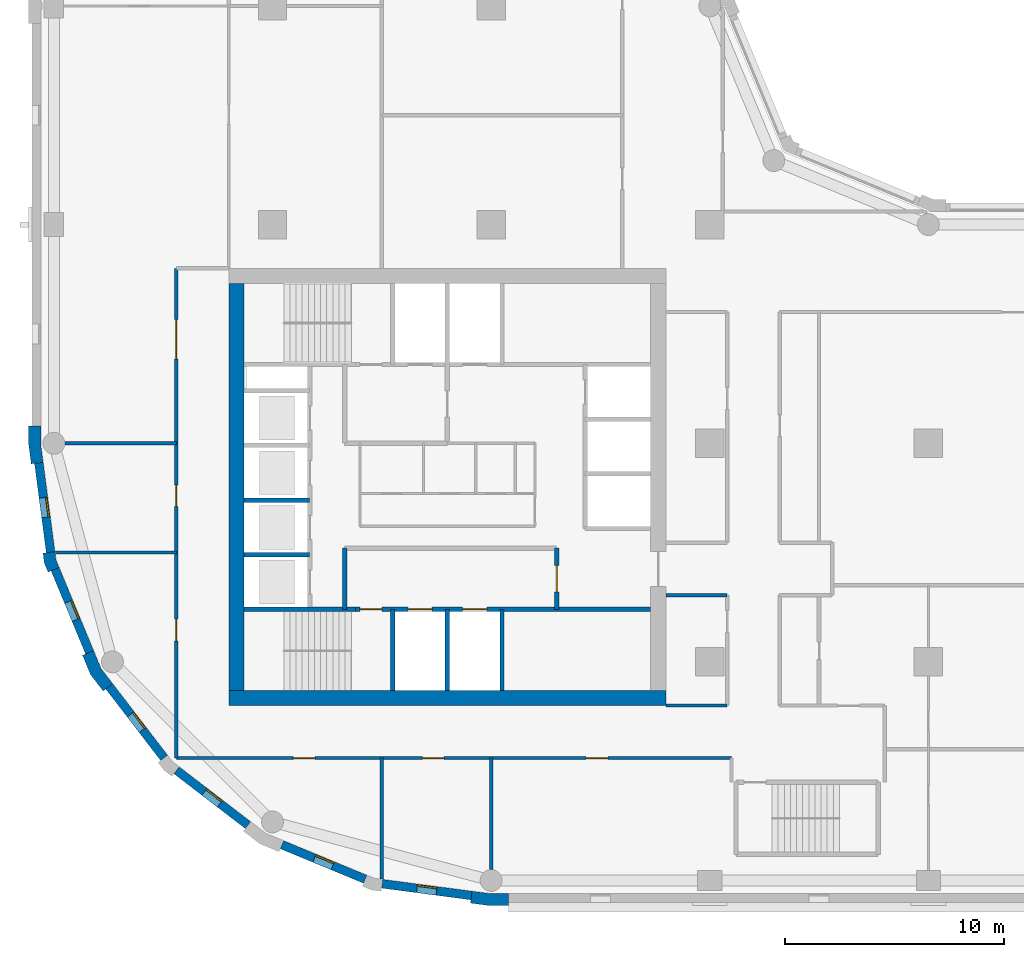
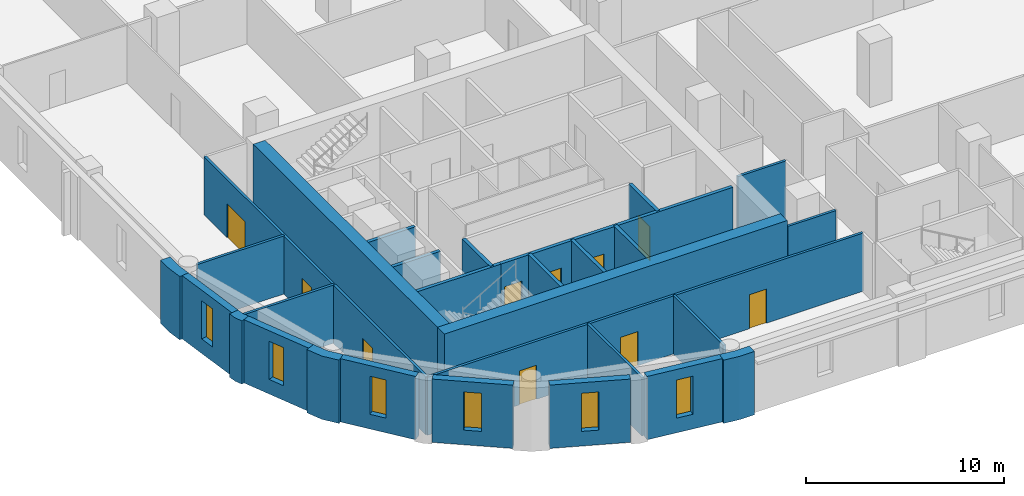
# One storey, part 2 of 10: 29 walls, 10 doors, 6 windows, 16 openings.
"""IFC4 building model written with IfcOpenShell, lengths in metres."""

from ifc_helpers import new_model, si_unit, direction, frame, frame_2d, origin, place, context, subcontext, project, spatial, polyline, rectangle, outline, extrude, material, layer, layer_set, type_object, element, fill, save


model = new_model("IFC4")

# Units and contexts
model_context = context("Model", 3, precision=1e-05, world=origin(), true_north=direction((0.0, 1.0)))
body_context = subcontext(model_context, "Body", "Model", "MODEL_VIEW")
ifc_project = project(units=[si_unit("LENGTHUNIT", "METRE"), si_unit("AREAUNIT", "SQUARE_METRE"), si_unit("VOLUMEUNIT", "CUBIC_METRE"), si_unit("PLANEANGLEUNIT", "RADIAN"), si_unit("MASSUNIT", "GRAM", prefix="KILO")], contexts=[model_context])

# Site, building, storey
site_placement = place(None, origin())
site = spatial("IfcSite", under=ifc_project, at=site_placement, CompositionType="ELEMENT")
building_placement = place(site_placement, origin())
building = spatial("IfcBuilding", under=site, at=building_placement, Name="Qaws Garden Tower", CompositionType="ELEMENT")
storey_placement = place(building_placement, frame((0.0, 0.0, 209.699951171875)))
storey = spatial("IfcBuildingStorey", under=building, at=storey_placement, Name="L51", CompositionType="ELEMENT", Elevation=209.699951171875)

# Wall, opening, window
ifc_material_1 = material(Name="Clay facing brick masonry", Category="masonry")
ifc_layer_1 = layer(ifc_material_1, 0.39990234375)
ifc_layer_set_1 = layer_set([ifc_layer_1], Name="Clay facing brick masonry")
wall_type_1 = type_object("IfcWallType", Name="Brick infill wall 400", PredefinedType="SOLIDWALL", material=ifc_layer_set_1)
wall_1_placement = place(storey_placement, frame((-0.688720703125, 19.102294921875, 0.0), z_axis=(0.0, 0.0, 1.0), x_axis=(0.130514280502, -0.991446429508, 0.0)))
wall_1 = element("IfcWall", 1, at=wall_1_placement, inside=storey, type_object=wall_type_1, Name="E-L51-infill-25", PredefinedType="SOLIDWALL", context=body_context, shape_type="SweptSolid", body=[
    extrude(rectangle(XDim=4.120849609375, YDim=0.39990234375, at=frame_2d((2.060546875, 0.0))), origin(), (0.0, 0.0, 1.0), 3.900146484375),
])
opening_1_placement = place(wall_1_placement, frame((1.610595703125, 0.0, 0.89990234375)))
opening_1 = element("IfcOpeningElement", 2, at=opening_1_placement, cuts=wall_1, Name="Opening W09", PredefinedType="OPENING", context=body_context, shape_type="SweptSolid", body=[
    extrude(rectangle(XDim=0.89990234375, YDim=2.35009765625, at=frame_2d((0.449951171875, 1.175048828125))), frame((0.0, 0.2099609375, 0.0), z_axis=(0.0, -1.0, 0.0), x_axis=(1.0, 0.0, 0.0)), (0.0, 0.0, 1.0), 0.419921875),
])
ifc_material_2 = material(Name="Aluminium framed window, clear glazing", Category="aluminium")
window_type = type_object("IfcWindowType", Name="Slit window 900 x 2350", PartitioningType="SINGLE_PANEL", PredefinedType="WINDOW", material=ifc_material_2)
window_1_placement = place(opening_1_placement, origin())
window_1 = element("IfcWindow", 3, at=window_1_placement, inside=storey, type_object=window_type, Name="E-L51-window-25-0", OverallHeight=2.35009765625, OverallWidth=0.89990234375, PartitioningType="SINGLE_PANEL", PredefinedType="WINDOW", context=body_context, shape_type="SweptSolid", body=[
    extrude(rectangle(XDim=0.89990234375, YDim=2.35009765625, at=frame_2d((0.449951171875, 1.175048828125))), frame((0.0, 0.159912109375, 0.0), z_axis=(0.0, -1.0, 0.0), x_axis=(1.0, 0.0, 0.0)), (0.0, 0.0, 1.0), 0.06005859375),
])
fill(opening_1, window_1)

wall_2_placement = place(storey_placement, frame((0.05712890625, 14.240234375, 0.0), z_axis=(0.0, 0.0, 1.0), x_axis=(0.382721546029, -0.923863744394, 0.0)))
wall_2 = element("IfcWall", 4, at=wall_2_placement, inside=storey, type_object=wall_type_1, Name="E-L51-infill-26", PredefinedType="SOLIDWALL", context=body_context, shape_type="SweptSolid", body=[
    extrude(rectangle(XDim=4.120849609375, YDim=0.39990234375, at=frame_2d((2.060546875, 0.0))), origin(), (0.0, 0.0, 1.0), 3.900146484375),
])
opening_2_placement = place(wall_2_placement, frame((1.610595703125, 0.0, 0.89990234375)))
opening_2 = element("IfcOpeningElement", 5, at=opening_2_placement, cuts=wall_2, Name="Opening W09", PredefinedType="OPENING", context=body_context, shape_type="SweptSolid", body=[
    extrude(rectangle(XDim=0.89990234375, YDim=2.35009765625, at=frame_2d((0.449951171875, 1.175048828125))), frame((0.0, 0.2099609375, 0.0), z_axis=(0.0, -1.0, 0.0), x_axis=(1.0, 0.0, 0.0)), (0.0, 0.0, 1.0), 0.419921875),
])
window_2_placement = place(opening_2_placement, origin())
window_2 = element("IfcWindow", 6, at=window_2_placement, inside=storey, type_object=window_type, Name="E-L51-window-26-0", OverallHeight=2.35009765625, OverallWidth=0.89990234375, PartitioningType="SINGLE_PANEL", PredefinedType="WINDOW", context=body_context, shape_type="SweptSolid", body=[
    extrude(rectangle(XDim=0.89990234375, YDim=2.35009765625, at=frame_2d((0.449951171875, 1.175048828125))), frame((0.0, 0.159912109375, 0.0), z_axis=(0.0, -1.0, 0.0), x_axis=(1.0, 0.0, 0.0)), (0.0, 0.0, 1.0), 0.06005859375),
])
fill(opening_2, window_2)

wall_3_placement = place(storey_placement, frame((2.53173828125, 8.87841796875, 0.0), z_axis=(0.0, 0.0, 1.0), x_axis=(0.608759824817, -0.793354571229, 0.0)))
wall_3 = element("IfcWall", 7, at=wall_3_placement, inside=storey, type_object=wall_type_1, Name="E-L51-infill-27", PredefinedType="SOLIDWALL", context=body_context, shape_type="SweptSolid", body=[
    extrude(rectangle(XDim=4.12109375, YDim=0.39990234375, at=frame_2d((2.060546875, 0.0))), origin(), (0.0, 0.0, 1.0), 3.900146484375),
])
opening_3_placement = place(wall_3_placement, frame((1.610595703125, 0.0, 0.89990234375)))
opening_3 = element("IfcOpeningElement", 8, at=opening_3_placement, cuts=wall_3, Name="Opening W09", PredefinedType="OPENING", context=body_context, shape_type="SweptSolid", body=[
    extrude(rectangle(XDim=0.89990234375, YDim=2.35009765625, at=frame_2d((0.449951171875, 1.175048828125))), frame((0.0, 0.2099609375, 0.0), z_axis=(0.0, -1.0, 0.0), x_axis=(1.0, 0.0, 0.0)), (0.0, 0.0, 1.0), 0.419921875),
])
window_3_placement = place(opening_3_placement, origin())
window_3 = element("IfcWindow", 9, at=window_3_placement, inside=storey, type_object=window_type, Name="E-L51-window-27-0", OverallHeight=2.35009765625, OverallWidth=0.89990234375, PartitioningType="SINGLE_PANEL", PredefinedType="WINDOW", context=body_context, shape_type="SweptSolid", body=[
    extrude(rectangle(XDim=0.89990234375, YDim=2.35009765625, at=frame_2d((0.449951171875, 1.175048828125))), frame((0.0, 0.159912109375, 0.0), z_axis=(0.0, -1.0, 0.0), x_axis=(1.0, 0.0, 0.0)), (0.0, 0.0, 1.0), 0.06005859375),
])
fill(opening_3, window_3)

wall_4_placement = place(storey_placement, frame((5.60888671875, 5.04052734375, 0.0), z_axis=(0.0, 0.0, 1.0), x_axis=(0.793354571229, -0.608759824817, 0.0)))
wall_4 = element("IfcWall", 10, at=wall_4_placement, inside=storey, type_object=wall_type_1, Name="E-L51-infill-28", PredefinedType="SOLIDWALL", context=body_context, shape_type="SweptSolid", body=[
    extrude(rectangle(XDim=4.12109375, YDim=0.39990234375, at=frame_2d((2.060546875, 0.0))), origin(), (0.0, 0.0, 1.0), 3.900146484375),
])
opening_4_placement = place(wall_4_placement, frame((1.610595703125, 0.0, 0.89990234375)))
opening_4 = element("IfcOpeningElement", 11, at=opening_4_placement, cuts=wall_4, Name="Opening W09", PredefinedType="OPENING", context=body_context, shape_type="SweptSolid", body=[
    extrude(rectangle(XDim=0.89990234375, YDim=2.35009765625, at=frame_2d((0.449951171875, 1.175048828125))), frame((0.0, 0.2099609375, 0.0), z_axis=(0.0, -1.0, 0.0), x_axis=(1.0, 0.0, 0.0)), (0.0, 0.0, 1.0), 0.419921875),
])
window_4_placement = place(opening_4_placement, origin())
window_4 = element("IfcWindow", 12, at=window_4_placement, inside=storey, type_object=window_type, Name="E-L51-window-28-0", OverallHeight=2.35009765625, OverallWidth=0.89990234375, PartitioningType="SINGLE_PANEL", PredefinedType="WINDOW", context=body_context, shape_type="SweptSolid", body=[
    extrude(rectangle(XDim=0.89990234375, YDim=2.35009765625, at=frame_2d((0.449951171875, 1.175048828125))), frame((0.0, 0.159912109375, 0.0), z_axis=(0.0, -1.0, 0.0), x_axis=(1.0, 0.0, 0.0)), (0.0, 0.0, 1.0), 0.06005859375),
])
fill(opening_4, window_4)

wall_5_placement = place(storey_placement, frame((10.43310546875, 1.63427734375, 0.0), z_axis=(0.0, 0.0, 1.0), x_axis=(0.923863744394, -0.382721546029, 0.0)))
wall_5 = element("IfcWall", 13, at=wall_5_placement, inside=storey, type_object=wall_type_1, Name="E-L51-infill-29", PredefinedType="SOLIDWALL", context=body_context, shape_type="SweptSolid", body=[
    extrude(rectangle(XDim=4.120849609375, YDim=0.39990234375, at=frame_2d((2.060546875, 0.0))), origin(), (0.0, 0.0, 1.0), 3.900146484375),
])
opening_5_placement = place(wall_5_placement, frame((1.610595703125, 0.0, 0.89990234375)))
opening_5 = element("IfcOpeningElement", 14, at=opening_5_placement, cuts=wall_5, Name="Opening W09", PredefinedType="OPENING", context=body_context, shape_type="SweptSolid", body=[
    extrude(rectangle(XDim=0.89990234375, YDim=2.35009765625, at=frame_2d((0.449951171875, 1.175048828125))), frame((0.0, 0.2099609375, 0.0), z_axis=(0.0, -1.0, 0.0), x_axis=(1.0, 0.0, 0.0)), (0.0, 0.0, 1.0), 0.419921875),
])
window_5_placement = place(opening_5_placement, origin())
window_5 = element("IfcWindow", 15, at=window_5_placement, inside=storey, type_object=window_type, Name="E-L51-window-29-0", OverallHeight=2.35009765625, OverallWidth=0.89990234375, PartitioningType="SINGLE_PANEL", PredefinedType="WINDOW", context=body_context, shape_type="SweptSolid", body=[
    extrude(rectangle(XDim=0.89990234375, YDim=2.35009765625, at=frame_2d((0.449951171875, 1.175048828125))), frame((0.0, 0.159912109375, 0.0), z_axis=(0.0, -1.0, 0.0), x_axis=(1.0, 0.0, 0.0)), (0.0, 0.0, 1.0), 0.06005859375),
])
fill(opening_5, window_5)

wall_6_placement = place(storey_placement, frame((15.0166015625, -0.15087890625, 0.0), z_axis=(0.0, 0.0, 1.0), x_axis=(0.991446429508, -0.130514280502, 0.0)))
wall_6 = element("IfcWall", 16, at=wall_6_placement, inside=storey, type_object=wall_type_1, Name="E-L51-infill-30", PredefinedType="SOLIDWALL", context=body_context, shape_type="SweptSolid", body=[
    extrude(rectangle(XDim=4.120849609375, YDim=0.39990234375, at=frame_2d((2.060546875, 0.0))), origin(), (0.0, 0.0, 1.0), 3.900146484375),
])
opening_6_placement = place(wall_6_placement, frame((1.610595703125, 0.0, 0.89990234375)))
opening_6 = element("IfcOpeningElement", 17, at=opening_6_placement, cuts=wall_6, Name="Opening W09", PredefinedType="OPENING", context=body_context, shape_type="SweptSolid", body=[
    extrude(rectangle(XDim=0.89990234375, YDim=2.35009765625, at=frame_2d((0.449951171875, 1.175048828125))), frame((0.0, 0.2099609375, 0.0), z_axis=(0.0, -1.0, 0.0), x_axis=(1.0, 0.0, 0.0)), (0.0, 0.0, 1.0), 0.419921875),
])
window_6_placement = place(opening_6_placement, origin())
window_6 = element("IfcWindow", 18, at=window_6_placement, inside=storey, type_object=window_type, Name="E-L51-window-30-0", OverallHeight=2.35009765625, OverallWidth=0.89990234375, PartitioningType="SINGLE_PANEL", PredefinedType="WINDOW", context=body_context, shape_type="SweptSolid", body=[
    extrude(rectangle(XDim=0.89990234375, YDim=2.35009765625, at=frame_2d((0.449951171875, 1.175048828125))), frame((0.0, 0.159912109375, 0.0), z_axis=(0.0, -1.0, 0.0), x_axis=(1.0, 0.0, 0.0)), (0.0, 0.0, 1.0), 0.06005859375),
])
fill(opening_6, window_6)

# Walls
ifc_material_3 = material(Name="Clay facing brick masonry", Category="masonry")
ifc_layer_2 = layer(ifc_material_3, 0.550048828125)
ifc_layer_set_2 = layer_set([ifc_layer_2], Name="Clay facing brick masonry")
wall_type_2 = type_object("IfcWallType", Name="Brick kink pier 550 x 600", PredefinedType="SOLIDWALL", material=ifc_layer_set_2)
placement = place(storey_placement, origin())
element("IfcWall", 19, at=placement, inside=storey, type_object=wall_type_2, Name="E-L51-pier-26", PredefinedType="SOLIDWALL", context=body_context, shape_type="SweptSolid", body=[
    extrude(outline(polyline([(-0.34912109375, 14.990478515625), (-0.497802734375, 14.970947265625), (-0.43896484375, 14.5234375), (-0.26611328125, 14.1064453125), (-0.127685546875, 14.163818359375), (0.241943359375, 14.31689453125), (0.096923828125, 14.6669921875), (0.04736328125, 15.042724609375), (-0.34912109375, 14.990478515625)])), origin(), (0.0, 0.0, 1.0), 3.900146484375),
])
ifc_material_4 = material(Name="Clay facing brick masonry", Category="masonry")
ifc_layer_3 = layer(ifc_material_4, 0.550048828125)
ifc_layer_set_3 = layer_set([ifc_layer_3], Name="Clay facing brick masonry")
wall_type_3 = type_object("IfcWallType", Name="Brick pier 550 x 1600", PredefinedType="SOLIDWALL", material=ifc_layer_set_3)
element("IfcWall", 20, at=placement, inside=storey, type_object=wall_type_3, Name="E-L51-pier-00", PredefinedType="SOLIDWALL", context=body_context, shape_type="SweptSolid", body=[
    extrude(outline(polyline([(19.076416015625, -0.886962890625), (19.056640625, -1.03564453125), (19.924560546875, -1.14990234375), (20.800048828125, -1.14990234375), (20.800048828125, -1.0), (20.800048828125, -0.60009765625), (19.960693359375, -0.60009765625), (19.12841796875, -0.490478515625), (19.076416015625, -0.886962890625)])), origin(), (0.0, 0.0, 1.0), 3.900146484375),
])
element("IfcWall", 21, at=placement, inside=storey, type_object=wall_type_3, Name="E-L51-pier-25", PredefinedType="SOLIDWALL", context=body_context, shape_type="SweptSolid", body=[
    extrude(outline(polyline([(-1.0, 20.800048828125), (-1.14990234375, 20.800048828125), (-1.14990234375, 19.924560546875), (-1.03564453125, 19.056640625), (-0.886962890625, 19.076416015625), (-0.490478515625, 19.12841796875), (-0.60009765625, 19.960693359375), (-0.60009765625, 20.800048828125), (-1.0, 20.800048828125)])), origin(), (0.0, 0.0, 1.0), 3.900146484375),
])
element("IfcWall", 22, at=placement, inside=storey, type_object=wall_type_3, Name="E-L51-pier-27", PredefinedType="SOLIDWALL", context=body_context, shape_type="SweptSolid", body=[
    extrude(outline(polyline([(1.449462890625, 10.3564453125), (1.310791015625, 10.299072265625), (1.675048828125, 9.419921875), (2.254150390625, 8.665283203125), (2.373046875, 8.756591796875), (2.6904296875, 9.0), (2.1552734375, 9.697509765625), (1.819091796875, 10.509521484375), (1.449462890625, 10.3564453125)])), origin(), (0.0, 0.0, 1.0), 3.900146484375),
])
ifc_material_5 = material(Name="Concrete C70", Category="concrete")
ifc_layer_4 = layer(ifc_material_5, 0.199951171875)
ifc_layer_set_4 = layer_set([ifc_layer_4], Name="Concrete C70")
wall_type_4 = type_object("IfcWallType", Name="Core shaft wall 200 C70", PredefinedType="SHEAR", material=ifc_layer_set_4)
wall_11_placement = place(storey_placement, frame((8.699951171875, 12.39990234375, 0.0), z_axis=(0.0, 0.0, 1.0), x_axis=(1.0, 0.0, 0.0)))
element("IfcWall", 23, at=wall_11_placement, inside=storey, type_object=wall_type_4, Name="Shaft wall", PredefinedType="SHEAR", context=body_context, shape_type="SweptSolid", body=[
    extrude(rectangle(XDim=5.10009765625, YDim=0.199951171875, at=frame_2d((2.550048828125, 0.0))), origin(), (0.0, 0.0, 1.0), 3.580078125),
])

# Wall, openings, doors
wall_12_placement = place(storey_placement, frame((13.800048828125, 12.39990234375, 0.0), z_axis=(0.0, 0.0, 1.0), x_axis=(1.0, 0.0, 0.0)))
wall_12 = element("IfcWall", 24, at=wall_12_placement, inside=storey, type_object=wall_type_4, Name="Shaft wall", PredefinedType="SHEAR", context=body_context, shape_type="SweptSolid", body=[
    extrude(rectangle(XDim=13.5, YDim=0.199951171875, at=frame_2d((6.75, 0.0))), origin(), (0.0, 0.0, 1.0), 3.580078125),
])
opening_7_placement = place(wall_12_placement, frame((2.39990234375, 0.0, 0.0)))
opening_7 = element("IfcOpeningElement", 25, at=opening_7_placement, cuts=wall_12, Name="Opening LD06", PredefinedType="OPENING", context=body_context, shape_type="SweptSolid", body=[
    extrude(rectangle(XDim=1.10009765625, YDim=2.10009765625, at=frame_2d((0.550048828125, 1.050048828125))), frame((0.0, 0.10986328125, 0.0), z_axis=(0.0, -1.0, 0.0), x_axis=(1.0, 0.0, 0.0)), (0.0, 0.0, 1.0), 0.219970703125),
])
opening_8_placement = place(wall_12_placement, frame((4.89990234375, 0.0, 0.0)))
opening_8 = element("IfcOpeningElement", 26, at=opening_8_placement, cuts=wall_12, Name="Opening LD07", PredefinedType="OPENING", context=body_context, shape_type="SweptSolid", body=[
    extrude(rectangle(XDim=1.10009765625, YDim=2.10009765625, at=frame_2d((0.550048828125, 1.050048828125))), frame((0.0, 0.10986328125, 0.0), z_axis=(0.0, -1.0, 0.0), x_axis=(1.0, 0.0, 0.0)), (0.0, 0.0, 1.0), 0.219970703125),
])
opening_9_placement = place(wall_12_placement, frame((0.199951171875, 0.0, 0.0)))
opening_9 = element("IfcOpeningElement", 27, at=opening_9_placement, cuts=wall_12, Name="Opening SD10", PredefinedType="OPENING", context=body_context, shape_type="SweptSolid", body=[
    extrude(rectangle(XDim=1.0, YDim=2.10009765625, at=frame_2d((0.5, 1.050048828125))), frame((0.0, 0.10986328125, 0.0), z_axis=(0.0, -1.0, 0.0), x_axis=(1.0, 0.0, 0.0)), (0.0, 0.0, 1.0), 0.219970703125),
])
ifc_material_6 = material(Name="Steel S235", Category="steel")
door_type_1 = type_object("IfcDoorType", Name="Landing door 1100x2100", OperationType="DOUBLE_DOOR_SLIDING", PredefinedType="DOOR", material=ifc_material_6)
door_1_placement = place(opening_7_placement, origin())
door_1 = element("IfcDoor", 28, at=door_1_placement, inside=storey, type_object=door_type_1, Name="Lift FF1 landing door", OperationType="DOUBLE_DOOR_SLIDING", OverallHeight=2.10009765625, OverallWidth=1.10009765625, PredefinedType="DOOR", context=body_context, shape_type="SweptSolid", body=[
    extrude(rectangle(XDim=1.10009765625, YDim=2.10009765625, at=frame_2d((0.550048828125, 1.050048828125))), frame((0.0, 0.02490234375, 0.0), z_axis=(0.0, -1.0, 0.0), x_axis=(1.0, 0.0, 0.0)), (0.0, 0.0, 1.0), 0.050048828125),
])
fill(opening_7, door_1)
door_2_placement = place(opening_8_placement, origin())
door_2 = element("IfcDoor", 29, at=door_2_placement, inside=storey, type_object=door_type_1, Name="Lift FF2 landing door", OperationType="DOUBLE_DOOR_SLIDING", OverallHeight=2.10009765625, OverallWidth=1.10009765625, PredefinedType="DOOR", context=body_context, shape_type="SweptSolid", body=[
    extrude(rectangle(XDim=1.10009765625, YDim=2.10009765625, at=frame_2d((0.550048828125, 1.050048828125))), frame((0.0, 0.02490234375, 0.0), z_axis=(0.0, -1.0, 0.0), x_axis=(1.0, 0.0, 0.0)), (0.0, 0.0, 1.0), 0.050048828125),
])
fill(opening_8, door_2)
ifc_material_7 = material(Name="Steel S235", Category="steel")
door_type_2 = type_object("IfcDoorType", Name="Stair door 1000x2100", OperationType="SINGLE_SWING_RIGHT", PredefinedType="DOOR", material=ifc_material_7)
door_3_placement = place(opening_9_placement, frame((1.0, 0.0, 0.0), z_axis=(0.0, 0.0, 1.0), x_axis=(-1.0, 0.0, 0.0)))
door_3 = element("IfcDoor", 30, at=door_3_placement, inside=storey, type_object=door_type_2, Name="Stair 1 door", OperationType="SINGLE_SWING_LEFT", OverallHeight=2.10009765625, OverallWidth=1.0, PredefinedType="DOOR", context=body_context, shape_type="SweptSolid", body=[
    extrude(rectangle(XDim=1.0, YDim=2.10009765625, at=frame_2d((0.5, 1.050048828125))), frame((0.0, 0.02490234375, 0.0), z_axis=(0.0, -1.0, 0.0), x_axis=(1.0, 0.0, 0.0)), (0.0, 0.0, 1.0), 0.050048828125),
])
fill(opening_9, door_3)

# Walls
for number, where, z_axis, x_axis, name in (
    (31, (8.699951171875, 14.89990234375, 0.0), (0.0, 0.0, 1.0), (1.0, 0.0, 0.0), "Shaft wall"),
    (32, (8.699951171875, 17.39990234375, 0.0), (0.0, 0.0, 1.0), (1.0, 0.0, 0.0), "Shaft wall"),
):
    element("IfcWall", number, at=place(storey_placement, frame(where, z_axis=z_axis, x_axis=x_axis)), inside=storey, type_object=wall_type_4, Name=name, PredefinedType="SHEAR", context=body_context, shape_type="SweptSolid", body=[
        extrude(rectangle(XDim=3.0, YDim=0.199951171875, at=frame_2d((1.5, 0.0))), origin(), (0.0, 0.0, 1.0), 3.580078125),
    ])
wall_13_placement = place(storey_placement, frame((13.300048828125, 12.39990234375, 0.0), z_axis=(0.0, 0.0, 1.0), x_axis=(0.0, 1.0, 0.0)))
element("IfcWall", 33, at=wall_13_placement, inside=storey, type_object=wall_type_4, Name="Shaft wall", PredefinedType="SHEAR", context=body_context, shape_type="SweptSolid", body=[
    extrude(rectangle(XDim=2.800048828125, YDim=0.199951171875, at=frame_2d((1.39990234375, 0.0))), origin(), (0.0, 0.0, 1.0), 3.580078125),
])
for number, where, z_axis, x_axis, name in (
    (34, (15.5, 8.699951171875, 0.0), (0.0, 0.0, 1.0), (0.0, 1.0, 0.0), "Shaft wall"),
    (35, (18.0, 8.699951171875, 0.0), (0.0, 0.0, 1.0), (0.0, 1.0, 0.0), "Shaft wall"),
    (36, (20.5, 8.699951171875, 0.0), (0.0, 0.0, 1.0), (0.0, 1.0, 0.0), "Shaft wall"),
):
    element("IfcWall", number, at=place(storey_placement, frame(where, z_axis=z_axis, x_axis=x_axis)), inside=storey, type_object=wall_type_4, Name=name, PredefinedType="SHEAR", context=body_context, shape_type="SweptSolid", body=[
        extrude(rectangle(XDim=3.699951171875, YDim=0.199951171875, at=frame_2d((1.85009765625, 0.0))), origin(), (0.0, 0.0, 1.0), 3.580078125),
    ])

# Wall, opening, door
wall_14_placement = place(storey_placement, frame((23.0, 12.39990234375, 0.0), z_axis=(0.0, 0.0, 1.0), x_axis=(0.0, 1.0, 0.0)))
wall_14 = element("IfcWall", 37, at=wall_14_placement, inside=storey, type_object=wall_type_4, Name="Shaft wall", PredefinedType="SHEAR", context=body_context, shape_type="SweptSolid", body=[
    extrude(rectangle(XDim=2.800048828125, YDim=0.199951171875, at=frame_2d((1.39990234375, 0.0))), origin(), (0.0, 0.0, 1.0), 3.580078125),
])
opening_10_placement = place(wall_14_placement, frame((0.800048828125, 0.0, 0.0)))
opening_10 = element("IfcOpeningElement", 38, at=opening_10_placement, cuts=wall_14, Name="Opening FD15", PredefinedType="OPENING", context=body_context, shape_type="SweptSolid", body=[
    extrude(rectangle(XDim=1.199951171875, YDim=2.10009765625, at=frame_2d((0.60009765625, 1.050048828125))), frame((0.0, 0.10986328125, 0.0), z_axis=(0.0, -1.0, 0.0), x_axis=(1.0, 0.0, 0.0)), (0.0, 0.0, 1.0), 0.219970703125),
])
ifc_material_8 = material(Name="Steel S235", Category="steel")
door_type_3 = type_object("IfcDoorType", Name="Lobby door 1200x2100", OperationType="DOUBLE_DOOR_SINGLE_SWING", PredefinedType="DOOR", material=ifc_material_8)
door_4_placement = place(opening_10_placement, origin())
door_4 = element("IfcDoor", 39, at=door_4_placement, inside=storey, type_object=door_type_3, Name="Fire-fighting lobby door", OperationType="DOUBLE_DOOR_SINGLE_SWING", OverallHeight=2.10009765625, OverallWidth=1.199951171875, PredefinedType="DOOR", context=body_context, shape_type="SweptSolid", body=[
    extrude(rectangle(XDim=1.199951171875, YDim=2.10009765625, at=frame_2d((0.60009765625, 1.050048828125))), frame((0.0, 0.02490234375, 0.0), z_axis=(0.0, -1.0, 0.0), x_axis=(1.0, 0.0, 0.0)), (0.0, 0.0, 1.0), 0.050048828125),
])
fill(opening_10, door_4)

# Walls
ifc_material_9 = material(Name="Concrete C70", Category="concrete")
ifc_layer_5 = layer(ifc_material_9, 0.699951171875)
ifc_layer_set_5 = layer_set([ifc_layer_5], Name="Concrete C70")
wall_type_5 = type_object("IfcWallType", Name="Core wall 700 C70", PredefinedType="SHEAR", material=ifc_layer_set_5)
wall_15_placement = place(storey_placement, frame((8.0, 8.35009765625, 0.0), z_axis=(0.0, 0.0, 1.0), x_axis=(1.0, 0.0, 0.0)))
element("IfcWall", 40, at=wall_15_placement, inside=storey, type_object=wall_type_5, Name="Core wall L51 south", PredefinedType="SHEAR", context=body_context, shape_type="SweptSolid", body=[
    extrude(rectangle(XDim=20.0, YDim=0.699951171875, at=frame_2d((10.0, 0.0))), origin(), (0.0, 0.0, 1.0), 3.900146484375),
])
wall_16_placement = place(storey_placement, frame((8.35009765625, 27.300048828125, 0.0), z_axis=(0.0, 0.0, 1.0), x_axis=(0.0, -1.0, 0.0)))
element("IfcWall", 41, at=wall_16_placement, inside=storey, type_object=wall_type_5, Name="Core wall L51 west", PredefinedType="SHEAR", context=body_context, shape_type="SweptSolid", body=[
    extrude(rectangle(XDim=18.60009765625, YDim=0.699951171875, at=frame_2d((9.300048828125, 0.0))), origin(), (0.0, 0.0, 1.0), 3.900146484375),
])

# Wall, openings, doors
ifc_material_10 = material(Name="Gypsum board partition")
ifc_layer_6 = layer(ifc_material_10, 0.14990234375)
ifc_layer_set_6 = layer_set([ifc_layer_6], Name="Gypsum board partition")
wall_type_6 = type_object("IfcWallType", Name="PARTITION 150 EI 60", PredefinedType="PARTITIONING", material=ifc_layer_set_6)
wall_17_placement = place(storey_placement, frame((5.60009765625, 5.60009765625, 0.0), z_axis=(0.0, 0.0, 1.0), x_axis=(0.0, 1.0, 0.0)))
wall_17 = element("IfcWall", 42, at=wall_17_placement, inside=storey, type_object=wall_type_6, Name="O-L51-wall-010", PredefinedType="PARTITIONING", context=body_context, shape_type="SweptSolid", body=[
    extrude(rectangle(XDim=22.39990234375, YDim=0.14990234375, at=frame_2d((11.199951171875, 0.0))), origin(), (0.0, 0.0, 1.0), 3.580078125),
])
opening_11_placement = place(wall_17_placement, frame((5.35009765625, 0.0, 0.0)))
opening_11 = element("IfcOpeningElement", 43, at=opening_11_placement, cuts=wall_17, Name="Opening B701", PredefinedType="OPENING", context=body_context, shape_type="SweptSolid", body=[
    extrude(rectangle(XDim=1.0, YDim=2.10009765625, at=frame_2d((0.5, 1.050048828125))), frame((0.0, 0.0849609375, 0.0), z_axis=(0.0, -1.0, 0.0), x_axis=(1.0, 0.0, 0.0)), (0.0, 0.0, 1.0), 0.169921875),
])
opening_12_placement = place(wall_17_placement, frame((11.5, 0.0, 0.0)))
opening_12 = element("IfcOpeningElement", 44, at=opening_12_placement, cuts=wall_17, Name="Opening B702", PredefinedType="OPENING", context=body_context, shape_type="SweptSolid", body=[
    extrude(rectangle(XDim=1.0, YDim=2.10009765625, at=frame_2d((0.5, 1.050048828125))), frame((0.0, 0.0849609375, 0.0), z_axis=(0.0, -1.0, 0.0), x_axis=(1.0, 0.0, 0.0)), (0.0, 0.0, 1.0), 0.169921875),
])
opening_13_placement = place(wall_17_placement, frame((18.25, 0.0, 0.0)))
opening_13 = element("IfcOpeningElement", 45, at=opening_13_placement, cuts=wall_17, Name="Opening B711", PredefinedType="OPENING", context=body_context, shape_type="SweptSolid", body=[
    extrude(rectangle(XDim=1.800048828125, YDim=2.10009765625, at=frame_2d((0.89990234375, 1.050048828125))), frame((0.0, 0.0849609375, 0.0), z_axis=(0.0, -1.0, 0.0), x_axis=(1.0, 0.0, 0.0)), (0.0, 0.0, 1.0), 0.169921875),
])
ifc_material_11 = material(Name="Timber door leaf", Category="wood")
door_type_4 = type_object("IfcDoorType", Name="DOUBLE DOOR 1800 X 2100", OperationType="DOUBLE_DOOR_SINGLE_SWING", PredefinedType="DOOR", material=ifc_material_11)
door_5_placement = place(opening_13_placement, origin())
door_5 = element("IfcDoor", 46, at=door_5_placement, inside=storey, type_object=door_type_4, Name="O-L51-door-011", OperationType="DOUBLE_DOOR_SINGLE_SWING", OverallHeight=2.10009765625, OverallWidth=1.800048828125, PredefinedType="DOOR", context=body_context, shape_type="SweptSolid", body=[
    extrude(rectangle(XDim=1.800048828125, YDim=2.10009765625, at=frame_2d((0.89990234375, 1.050048828125))), frame((0.0, 0.02490234375, 0.0), z_axis=(0.0, -1.0, 0.0), x_axis=(1.0, 0.0, 0.0)), (0.0, 0.0, 1.0), 0.050048828125),
])
fill(opening_13, door_5)
ifc_material_12 = material(Name="Timber door leaf", Category="wood")
door_type_5 = type_object("IfcDoorType", Name="TENANCY ENTRANCE DOOR 1000 X 2100", OperationType="SINGLE_SWING_LEFT", PredefinedType="DOOR", material=ifc_material_12)
door_6_placement = place(opening_11_placement, origin())
door_6 = element("IfcDoor", 47, at=door_6_placement, inside=storey, type_object=door_type_5, Name="O-L51-door-001", OperationType="SINGLE_SWING_RIGHT", OverallHeight=2.10009765625, OverallWidth=1.0, PredefinedType="DOOR", context=body_context, shape_type="SweptSolid", body=[
    extrude(rectangle(XDim=1.0, YDim=2.10009765625, at=frame_2d((0.5, 1.050048828125))), frame((0.0, 0.02490234375, 0.0), z_axis=(0.0, -1.0, 0.0), x_axis=(1.0, 0.0, 0.0)), (0.0, 0.0, 1.0), 0.050048828125),
])
fill(opening_11, door_6)
door_7_placement = place(opening_12_placement, origin())
door_7 = element("IfcDoor", 48, at=door_7_placement, inside=storey, type_object=door_type_5, Name="O-L51-door-002", OperationType="SINGLE_SWING_RIGHT", OverallHeight=2.10009765625, OverallWidth=1.0, PredefinedType="DOOR", context=body_context, shape_type="SweptSolid", body=[
    extrude(rectangle(XDim=1.0, YDim=2.10009765625, at=frame_2d((0.5, 1.050048828125))), frame((0.0, 0.02490234375, 0.0), z_axis=(0.0, -1.0, 0.0), x_axis=(1.0, 0.0, 0.0)), (0.0, 0.0, 1.0), 0.050048828125),
])
fill(opening_12, door_7)

# Walls
wall_18_placement = place(storey_placement, frame((15.0, 0.06298828125, 0.0), z_axis=(0.0, 0.0, 1.0), x_axis=(0.0, 1.0, 0.0)))
element("IfcWall", 49, at=wall_18_placement, inside=storey, type_object=wall_type_6, Name="O-L51-wall-014", PredefinedType="PARTITIONING", context=body_context, shape_type="SweptSolid", body=[
    extrude(rectangle(XDim=5.537109375, YDim=0.14990234375, at=frame_2d((2.7685546875, 0.0))), origin(), (0.0, 0.0, 1.0), 3.580078125),
])
wall_19_placement = place(storey_placement, frame((20.0, 0.5, 0.0), z_axis=(0.0, 0.0, 1.0), x_axis=(0.0, 1.0, 0.0)))
element("IfcWall", 50, at=wall_19_placement, inside=storey, type_object=wall_type_6, Name="O-L51-wall-017", PredefinedType="PARTITIONING", context=body_context, shape_type="SweptSolid", body=[
    extrude(rectangle(XDim=5.10009765625, YDim=0.14990234375, at=frame_2d((2.550048828125, 0.0))), origin(), (0.0, 0.0, 1.0), 3.580078125),
])

# Wall, openings, doors
wall_20_placement = place(storey_placement, frame((5.60009765625, 5.60009765625, 0.0), z_axis=(0.0, 0.0, 1.0), x_axis=(1.0, 0.0, 0.0)))
wall_20 = element("IfcWall", 51, at=wall_20_placement, inside=storey, type_object=wall_type_6, Name="O-L51-wall-034", PredefinedType="PARTITIONING", context=body_context, shape_type="SweptSolid", body=[
    extrude(rectangle(XDim=25.39990234375, YDim=0.14990234375, at=frame_2d((12.699951171875, 0.0))), origin(), (0.0, 0.0, 1.0), 3.580078125),
])
opening_14_placement = place(wall_20_placement, frame((5.35009765625, 0.0, 0.0)))
opening_14 = element("IfcOpeningElement", 52, at=opening_14_placement, cuts=wall_20, Name="Opening B709", PredefinedType="OPENING", context=body_context, shape_type="SweptSolid", body=[
    extrude(rectangle(XDim=1.0, YDim=2.10009765625, at=frame_2d((0.5, 1.050048828125))), frame((0.0, 0.0849609375, 0.0), z_axis=(0.0, -1.0, 0.0), x_axis=(1.0, 0.0, 0.0)), (0.0, 0.0, 1.0), 0.169921875),
])
opening_15_placement = place(wall_20_placement, frame((11.25, 0.0, 0.0)))
opening_15 = element("IfcOpeningElement", 53, at=opening_15_placement, cuts=wall_20, Name="Opening B716", PredefinedType="OPENING", context=body_context, shape_type="SweptSolid", body=[
    extrude(rectangle(XDim=1.0, YDim=2.10009765625, at=frame_2d((0.5, 1.050048828125))), frame((0.0, 0.0849609375, 0.0), z_axis=(0.0, -1.0, 0.0), x_axis=(1.0, 0.0, 0.0)), (0.0, 0.0, 1.0), 0.169921875),
])
opening_16_placement = place(wall_20_placement, frame((18.75, 0.0, 0.0)))
opening_16 = element("IfcOpeningElement", 54, at=opening_16_placement, cuts=wall_20, Name="Opening B717", PredefinedType="OPENING", context=body_context, shape_type="SweptSolid", body=[
    extrude(rectangle(XDim=1.0, YDim=2.10009765625, at=frame_2d((0.5, 1.050048828125))), frame((0.0, 0.0849609375, 0.0), z_axis=(0.0, -1.0, 0.0), x_axis=(1.0, 0.0, 0.0)), (0.0, 0.0, 1.0), 0.169921875),
])
door_8_placement = place(opening_14_placement, frame((1.0, 0.0, 0.0), z_axis=(0.0, 0.0, 1.0), x_axis=(-1.0, 0.0, 0.0)))
door_8 = element("IfcDoor", 55, at=door_8_placement, inside=storey, type_object=door_type_5, Name="O-L51-door-009", OperationType="SINGLE_SWING_LEFT", OverallHeight=2.10009765625, OverallWidth=1.0, PredefinedType="DOOR", context=body_context, shape_type="SweptSolid", body=[
    extrude(rectangle(XDim=1.0, YDim=2.10009765625, at=frame_2d((0.5, 1.050048828125))), frame((0.0, 0.02490234375, 0.0), z_axis=(0.0, -1.0, 0.0), x_axis=(1.0, 0.0, 0.0)), (0.0, 0.0, 1.0), 0.050048828125),
])
fill(opening_14, door_8)
door_9_placement = place(opening_15_placement, frame((1.0, 0.0, 0.0), z_axis=(0.0, 0.0, 1.0), x_axis=(-1.0, 0.0, 0.0)))
door_9 = element("IfcDoor", 56, at=door_9_placement, inside=storey, type_object=door_type_5, Name="O-L51-door-016", OperationType="SINGLE_SWING_LEFT", OverallHeight=2.10009765625, OverallWidth=1.0, PredefinedType="DOOR", context=body_context, shape_type="SweptSolid", body=[
    extrude(rectangle(XDim=1.0, YDim=2.10009765625, at=frame_2d((0.5, 1.050048828125))), frame((0.0, 0.02490234375, 0.0), z_axis=(0.0, -1.0, 0.0), x_axis=(1.0, 0.0, 0.0)), (0.0, 0.0, 1.0), 0.050048828125),
])
fill(opening_15, door_9)
door_10_placement = place(opening_16_placement, frame((1.0, 0.0, 0.0), z_axis=(0.0, 0.0, 1.0), x_axis=(-1.0, 0.0, 0.0)))
door_10 = element("IfcDoor", 57, at=door_10_placement, inside=storey, type_object=door_type_5, Name="O-L51-door-017", OperationType="SINGLE_SWING_LEFT", OverallHeight=2.10009765625, OverallWidth=1.0, PredefinedType="DOOR", context=body_context, shape_type="SweptSolid", body=[
    extrude(rectangle(XDim=1.0, YDim=2.10009765625, at=frame_2d((0.5, 1.050048828125))), frame((0.0, 0.02490234375, 0.0), z_axis=(0.0, -1.0, 0.0), x_axis=(1.0, 0.0, 0.0)), (0.0, 0.0, 1.0), 0.050048828125),
])
fill(opening_16, door_10)

# Walls
for number, where, z_axis, x_axis, name in (
    (58, (28.0, 8.0, 0.0), (0.0, 0.0, 1.0), (1.0, 0.0, 0.0), "O-L51-wall-036"),
    (59, (28.0, 13.050048828125, 0.0), (0.0, 0.0, 1.0), (1.0, 0.0, 0.0), "O-L51-wall-038"),
):
    element("IfcWall", number, at=place(storey_placement, frame(where, z_axis=z_axis, x_axis=x_axis)), inside=storey, type_object=wall_type_6, Name=name, PredefinedType="PARTITIONING", context=body_context, shape_type="SweptSolid", body=[
        extrude(rectangle(XDim=2.800048828125, YDim=0.14990234375, at=frame_2d((1.39990234375, 0.0))), origin(), (0.0, 0.0, 1.0), 3.580078125),
    ])
wall_21_placement = place(storey_placement, frame((0.06298828125, 15.0, 0.0), z_axis=(0.0, 0.0, 1.0), x_axis=(1.0, 0.0, 0.0)))
element("IfcWall", 60, at=wall_21_placement, inside=storey, type_object=wall_type_6, Name="O-L51-wall-042", PredefinedType="PARTITIONING", context=body_context, shape_type="SweptSolid", body=[
    extrude(rectangle(XDim=5.537109375, YDim=0.14990234375, at=frame_2d((2.7685546875, 0.0))), origin(), (0.0, 0.0, 1.0), 3.580078125),
])
wall_22_placement = place(storey_placement, frame((0.5, 20.0, 0.0), z_axis=(0.0, 0.0, 1.0), x_axis=(1.0, 0.0, 0.0)))
element("IfcWall", 61, at=wall_22_placement, inside=storey, type_object=wall_type_6, Name="O-L51-wall-045", PredefinedType="PARTITIONING", context=body_context, shape_type="SweptSolid", body=[
    extrude(rectangle(XDim=5.10009765625, YDim=0.14990234375, at=frame_2d((2.550048828125, 0.0))), origin(), (0.0, 0.0, 1.0), 3.580078125),
])

save(model, "model.ifc")
